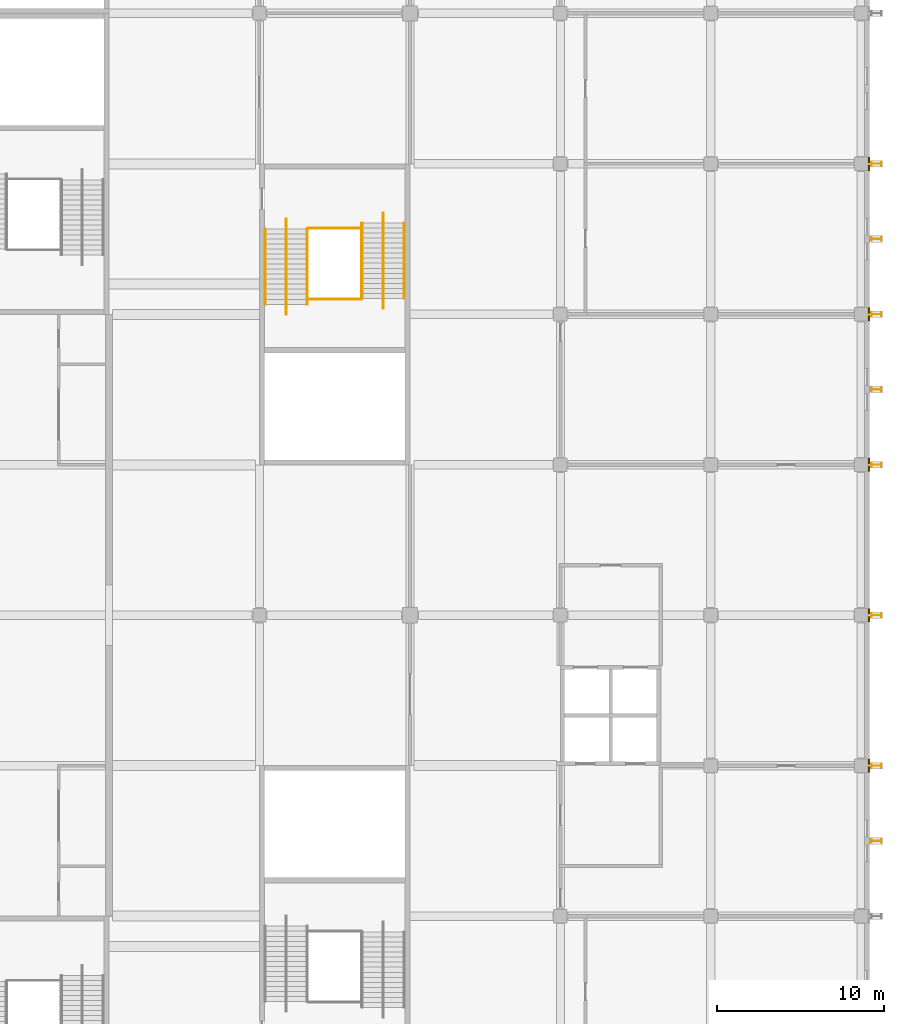
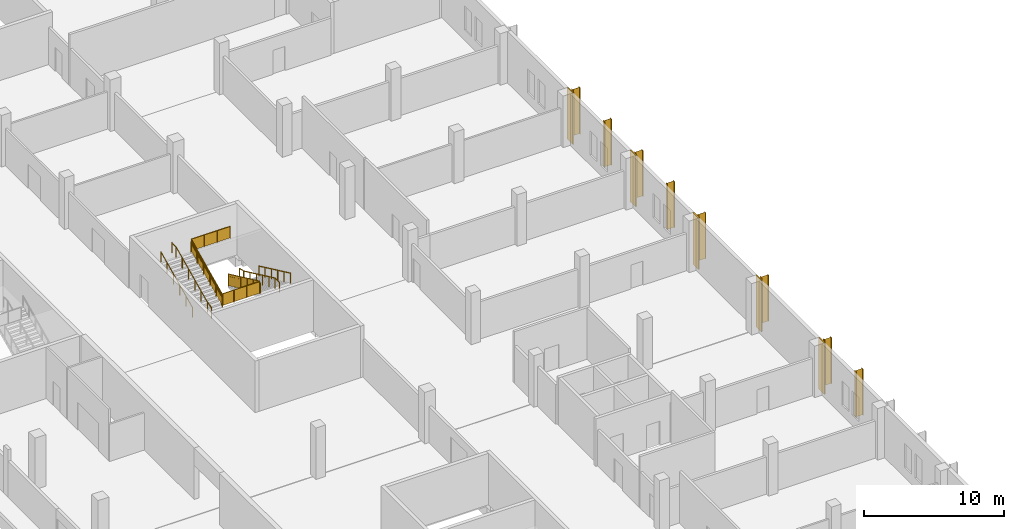
# One storey, part 156 of 168: 10 railings, 8 shading devices, 5 coverings.
"""IFC4 building model written with IfcOpenShell, lengths in metres."""

from ifc_helpers import new_model, si_unit, direction, frame, origin, origin_2d, place, context, subcontext, project, spatial, polyline, circle, i_section, outline, extrude, material, layer, layer_set, material_profile, profile_set, type_object, element, save


model = new_model("IFC4")

# Units and contexts
model_context = context("Model", 3, precision=1e-05, world=origin(), true_north=direction((0.0, 1.0)))
body_context = subcontext(model_context, "Body", "Model", "MODEL_VIEW")
ifc_project = project(units=[si_unit("LENGTHUNIT", "METRE"), si_unit("AREAUNIT", "SQUARE_METRE"), si_unit("VOLUMEUNIT", "CUBIC_METRE"), si_unit("PLANEANGLEUNIT", "RADIAN"), si_unit("MASSUNIT", "GRAM", prefix="KILO")], contexts=[model_context])

# Site, building, storey
site_placement = place(None, origin())
site = spatial("IfcSite", under=ifc_project, at=site_placement, CompositionType="ELEMENT")
building_placement = place(site_placement, origin())
building = spatial("IfcBuilding", under=site, at=building_placement, Name="Silverbay Arena", CompositionType="ELEMENT")
storey_placement = place(building_placement, frame((0.0, 0.0, 7.0)))
storey = spatial("IfcBuildingStorey", under=building, at=storey_placement, Name="L01", CompositionType="ELEMENT", Elevation=7.0)

# Coverings
ifc_material_1 = material(Name="Aluminium composite cladding", Category="aluminium")
ifc_layer = layer(ifc_material_1, 0.10009765625)
ifc_layer_set = layer_set([ifc_layer], Name="Aluminium composite cladding")
covering_type = type_object("IfcCoveringType", Name="Column cladding 100", PredefinedType="CLADDING", material=ifc_layer_set)
covering_1_placement = place(storey_placement, origin())
element("IfcCovering", 1, at=covering_1_placement, inside=storey, type_object=covering_type, Name="East column cladding L01 87", PredefinedType="CLADDING", context=body_context, shape_type="SweptSolid", body=[
    extrude(outline(polyline([(234.39990234375, 71.60009765625), (234.5, 71.60009765625), (234.5, 72.39990234375), (234.39990234375, 72.39990234375), (234.39990234375, 71.60009765625)])), origin(), (0.0, 0.0, 1.0), 4.5),
])
covering_2_placement = place(storey_placement, origin())
element("IfcCovering", 2, at=covering_2_placement, inside=storey, type_object=covering_type, Name="East column cladding L01 88", PredefinedType="CLADDING", context=body_context, shape_type="SweptSolid", body=[
    extrude(outline(polyline([(234.39990234375, 80.60009765625), (234.5, 80.60009765625), (234.5, 81.39990234375), (234.39990234375, 81.39990234375), (234.39990234375, 80.60009765625)])), origin(), (0.0, 0.0, 1.0), 4.5),
])
covering_3_placement = place(storey_placement, origin())
element("IfcCovering", 3, at=covering_3_placement, inside=storey, type_object=covering_type, Name="East column cladding L01 89", PredefinedType="CLADDING", context=body_context, shape_type="SweptSolid", body=[
    extrude(outline(polyline([(234.39990234375, 89.60009765625), (234.5, 89.60009765625), (234.5, 90.39990234375), (234.39990234375, 90.39990234375), (234.39990234375, 89.60009765625)])), origin(), (0.0, 0.0, 1.0), 4.5),
])
covering_4_placement = place(storey_placement, origin())
element("IfcCovering", 4, at=covering_4_placement, inside=storey, type_object=covering_type, Name="East column cladding L01 90", PredefinedType="CLADDING", context=body_context, shape_type="SweptSolid", body=[
    extrude(outline(polyline([(234.39990234375, 98.60009765625), (234.5, 98.60009765625), (234.5, 99.39990234375), (234.39990234375, 99.39990234375), (234.39990234375, 98.60009765625)])), origin(), (0.0, 0.0, 1.0), 4.5),
])
covering_5_placement = place(storey_placement, origin())
element("IfcCovering", 5, at=covering_5_placement, inside=storey, type_object=covering_type, Name="East column cladding L01 91", PredefinedType="CLADDING", context=body_context, shape_type="SweptSolid", body=[
    extrude(outline(polyline([(234.39990234375, 107.60009765625), (234.5, 107.60009765625), (234.5, 108.39990234375), (234.39990234375, 108.39990234375), (234.39990234375, 107.60009765625)])), origin(), (0.0, 0.0, 1.0), 4.5),
])

# Railings
ifc_material_2 = material(Name="Stainless steel", Category="steel")
railing_type_1 = type_object("IfcRailingType", Name="Stair guard 1100", PredefinedType="GUARDRAIL", material=ifc_material_2)
railing_1_placement = place(storey_placement, frame((204.125, 104.453369140625, 0.140625)))
element("IfcRailing", 6, at=railing_1_placement, inside=storey, type_object=railing_type_1, Name="Stair ST-E2 L01 to L02 flight 1 guard left", PredefinedType="GUARDRAIL", context=body_context, shape_type="SweptSolid", body=[
    extrude(circle(Radius=0.02392578125, at=origin_2d()), frame((0.0, 0.0, 1.076171875), z_axis=(0.0, -0.905458935959, 0.424433876231), x_axis=(1.0, 0.0, 0.0)), (0.0, 0.0, 1.0), 4.969970703125),
    extrude(outline(polyline([(-0.008056640625, 0.046142578125), (0.907958984375, 0.4755859375), (0.907958984375, 1.478515625), (-0.008056640625, 1.04931640625), (-0.008056640625, 0.046142578125)])), frame((0.0029296875, 0.0, 0.0), z_axis=(-1.0, 0.0, 0.0), x_axis=(0.0, -1.0, 0.0)), (0.0, 0.0, 1.0), 0.006103515625),
    extrude(outline(polyline([(-0.008056640625, 0.468017578125), (0.907958984375, 0.8974609375), (0.907958984375, 1.900390625), (-0.008056640625, 1.47119140625), (-0.008056640625, 0.468017578125)])), frame((0.0029296875, -0.89990234375, 0.0), z_axis=(-1.0, 0.0, 0.0), x_axis=(0.0, -1.0, 0.0)), (0.0, 0.0, 1.0), 0.006103515625),
    extrude(outline(polyline([(-0.008056640625, 0.889892578125), (0.907958984375, 1.3193359375), (0.907958984375, 2.322265625), (-0.008056640625, 1.89306640625), (-0.008056640625, 0.889892578125)])), frame((0.0029296875, -1.800048828125, 0.0), z_axis=(-1.0, 0.0, 0.0), x_axis=(0.0, -1.0, 0.0)), (0.0, 0.0, 1.0), 0.006103515625),
    extrude(outline(polyline([(-0.008056640625, 1.311767578125), (0.907958984375, 1.7412109375), (0.907958984375, 2.744140625), (-0.008056640625, 2.31494140625), (-0.008056640625, 1.311767578125)])), frame((0.0029296875, -2.699951171875, 0.0), z_axis=(-1.0, 0.0, 0.0), x_axis=(0.0, -1.0, 0.0)), (0.0, 0.0, 1.0), 0.006103515625),
    extrude(outline(polyline([(-0.008056640625, 1.733642578125), (0.907958984375, 2.1630859375), (0.907958984375, 3.166015625), (-0.008056640625, 2.73681640625), (-0.008056640625, 1.733642578125)])), frame((0.0029296875, -3.60009765625, 0.0), z_axis=(-1.0, 0.0, 0.0), x_axis=(0.0, -1.0, 0.0)), (0.0, 0.0, 1.0), 0.006103515625),
    extrude(circle(Radius=0.02099609375, at=origin_2d()), origin(), (0.0, 0.0, 1.0), 1.052001953125),
    extrude(circle(Radius=0.02099609375, at=origin_2d()), frame((0.0, -0.89990234375, 0.421875)), (0.0, 0.0, 1.0), 1.052001953125),
    extrude(circle(Radius=0.02099609375, at=origin_2d()), frame((0.0, -1.800048828125, 0.84375)), (0.0, 0.0, 1.0), 1.052001953125),
    extrude(circle(Radius=0.02099609375, at=origin_2d()), frame((0.0, -2.699951171875, 1.265625)), (0.0, 0.0, 1.0), 1.052001953125),
    extrude(circle(Radius=0.02099609375, at=origin_2d()), frame((0.0, -3.60009765625, 1.6875)), (0.0, 0.0, 1.0), 1.052001953125),
    extrude(circle(Radius=0.02099609375, at=origin_2d()), frame((0.0, -4.5, 2.109375)), (0.0, 0.0, 1.0), 1.052001953125),
])
railing_2_placement = place(storey_placement, frame((200.875, 99.60009765625, 2.390625)))
element("IfcRailing", 7, at=railing_2_placement, inside=storey, type_object=railing_type_1, Name="Stair ST-E2 L01 to L02 flight 2 guard right", PredefinedType="GUARDRAIL", context=body_context, shape_type="SweptSolid", body=[
    extrude(circle(Radius=0.02392578125, at=origin_2d()), frame((0.0, 0.0, 1.076171875), z_axis=(0.0, 0.905458935959, 0.424433876231), x_axis=(-1.0, 0.0, 0.0)), (0.0, 0.0, 1.0), 4.969970703125),
    extrude(outline(polyline([(-0.008056640625, 0.046142578125), (0.907958984375, 0.4755859375), (0.907958984375, 1.478515625), (-0.008056640625, 1.04931640625), (-0.008056640625, 0.046142578125)])), frame((-0.0029296875, 0.0, 0.0), z_axis=(1.0, 0.0, 0.0), x_axis=(0.0, 1.0, 0.0)), (0.0, 0.0, 1.0), 0.006103515625),
    extrude(outline(polyline([(-0.008056640625, 0.468017578125), (0.907958984375, 0.8974609375), (0.907958984375, 1.900390625), (-0.008056640625, 1.47119140625), (-0.008056640625, 0.468017578125)])), frame((-0.0029296875, 0.89990234375, 0.0), z_axis=(1.0, 0.0, 0.0), x_axis=(0.0, 1.0, 0.0)), (0.0, 0.0, 1.0), 0.006103515625),
    extrude(outline(polyline([(-0.008056640625, 0.889892578125), (0.907958984375, 1.3193359375), (0.907958984375, 2.322265625), (-0.008056640625, 1.89306640625), (-0.008056640625, 0.889892578125)])), frame((-0.0029296875, 1.800048828125, 0.0), z_axis=(1.0, 0.0, 0.0), x_axis=(0.0, 1.0, 0.0)), (0.0, 0.0, 1.0), 0.006103515625),
    extrude(outline(polyline([(-0.008056640625, 1.311767578125), (0.907958984375, 1.7412109375), (0.907958984375, 2.744140625), (-0.008056640625, 2.31494140625), (-0.008056640625, 1.311767578125)])), frame((-0.0029296875, 2.699951171875, 0.0), z_axis=(1.0, 0.0, 0.0), x_axis=(0.0, 1.0, 0.0)), (0.0, 0.0, 1.0), 0.006103515625),
    extrude(outline(polyline([(-0.008056640625, 1.733642578125), (0.907958984375, 2.1630859375), (0.907958984375, 3.166015625), (-0.008056640625, 2.73681640625), (-0.008056640625, 1.733642578125)])), frame((-0.0029296875, 3.60009765625, 0.0), z_axis=(1.0, 0.0, 0.0), x_axis=(0.0, 1.0, 0.0)), (0.0, 0.0, 1.0), 0.006103515625),
    extrude(circle(Radius=0.02099609375, at=origin_2d()), origin(), (0.0, 0.0, 1.0), 1.052001953125),
    extrude(circle(Radius=0.02099609375, at=origin_2d()), frame((0.0, 0.89990234375, 0.421875)), (0.0, 0.0, 1.0), 1.052001953125),
    extrude(circle(Radius=0.02099609375, at=origin_2d()), frame((0.0, 1.800048828125, 0.84375)), (0.0, 0.0, 1.0), 1.052001953125),
    extrude(circle(Radius=0.02099609375, at=origin_2d()), frame((0.0, 2.699951171875, 1.265625)), (0.0, 0.0, 1.0), 1.052001953125),
    extrude(circle(Radius=0.02099609375, at=origin_2d()), frame((0.0, 3.60009765625, 1.6875)), (0.0, 0.0, 1.0), 1.052001953125),
    extrude(circle(Radius=0.02099609375, at=origin_2d()), frame((0.0, 4.5, 2.109375)), (0.0, 0.0, 1.0), 1.052001953125),
])
for number, where, name in (
    (8, (200.89990234375, 99.9033203125, 2.25), "Stair ST-E2 L01 to L02 landing 1 guard"),
    (9, (200.89990234375, 104.14990234375, 4.5), "Stair ST-E2 L01 to L02 landing 2 guard"),
):
    element("IfcRailing", number, at=place(storey_placement, frame(where)), inside=storey, type_object=railing_type_1, Name=name, PredefinedType="GUARDRAIL", context=body_context, shape_type="SweptSolid", body=[
        extrude(circle(Radius=0.02392578125, at=origin_2d()), frame((0.0, 0.0, 1.076171875), z_axis=(1.0, 0.0, 0.0), x_axis=(0.0, 1.0, 0.0)), (0.0, 0.0, 1.0), 3.2001953125),
        extrude(outline(polyline([(-0.008056640625, 0.050048828125), (1.07470703125, 0.050048828125), (1.07470703125, 1.052978515625), (-0.008056640625, 1.052978515625), (-0.008056640625, 0.050048828125)])), frame((0.0, 0.0029296875, 0.0), z_axis=(0.0, -1.0, 0.0), x_axis=(1.0, 0.0, 0.0)), (0.0, 0.0, 1.0), 0.006103515625),
        extrude(outline(polyline([(-0.008056640625, 0.050048828125), (1.07470703125, 0.050048828125), (1.07470703125, 1.052978515625), (-0.008056640625, 1.052978515625), (-0.008056640625, 0.050048828125)])), frame((1.066650390625, 0.0029296875, 0.0), z_axis=(0.0, -1.0, 0.0), x_axis=(1.0, 0.0, 0.0)), (0.0, 0.0, 1.0), 0.006103515625),
        extrude(outline(polyline([(-0.008056640625, 0.050048828125), (1.07470703125, 0.050048828125), (1.07470703125, 1.052978515625), (-0.008056640625, 1.052978515625), (-0.008056640625, 0.050048828125)])), frame((2.133544921875, 0.0029296875, 0.0), z_axis=(0.0, -1.0, 0.0), x_axis=(1.0, 0.0, 0.0)), (0.0, 0.0, 1.0), 0.006103515625),
        extrude(circle(Radius=0.02099609375, at=origin_2d()), origin(), (0.0, 0.0, 1.0), 1.052001953125),
        extrude(circle(Radius=0.02099609375, at=origin_2d()), frame((1.066650390625, 0.0, 0.0)), (0.0, 0.0, 1.0), 1.052001953125),
        extrude(circle(Radius=0.02099609375, at=origin_2d()), frame((2.133544921875, 0.0, 0.0)), (0.0, 0.0, 1.0), 1.052001953125),
        extrude(circle(Radius=0.02099609375, at=origin_2d()), frame((3.2001953125, 0.0, 0.0)), (0.0, 0.0, 1.0), 1.052001953125),
    ])
ifc_material_3 = material(Name="Stainless steel", Category="steel")
railing_type_2 = type_object("IfcRailingType", Name="Stair handrail 900", PredefinedType="HANDRAIL", material=ifc_material_3)
for number, where, name in (
    (10, (204.1640625, 104.453369140625, 0.140625), "Stair ST-E2 L01 to L02 flight 1 handrail left"),
    (11, (206.64990234375, 104.453369140625, 0.140625), "Stair ST-E2 L01 to L02 flight 1 handrail right"),
):
    element("IfcRailing", number, at=place(storey_placement, frame(where)), inside=storey, type_object=railing_type_2, Name=name, PredefinedType="HANDRAIL", context=body_context, shape_type="SweptSolid", body=[
        extrude(circle(Radius=0.02392578125, at=origin_2d()), frame((0.0, 0.0, 0.8759765625), z_axis=(0.0, -0.905458935959, 0.424433876231), x_axis=(1.0, 0.0, 0.0)), (0.0, 0.0, 1.0), 4.969970703125),
        extrude(circle(Radius=0.02099609375, at=origin_2d()), origin(), (0.0, 0.0, 1.0), 0.851806640625),
        extrude(circle(Radius=0.02099609375, at=origin_2d()), frame((0.0, -0.89990234375, 0.421875)), (0.0, 0.0, 1.0), 0.851806640625),
        extrude(circle(Radius=0.02099609375, at=origin_2d()), frame((0.0, -1.800048828125, 0.84375)), (0.0, 0.0, 1.0), 0.851806640625),
        extrude(circle(Radius=0.02099609375, at=origin_2d()), frame((0.0, -2.699951171875, 1.265625)), (0.0, 0.0, 1.0), 0.851806640625),
        extrude(circle(Radius=0.02099609375, at=origin_2d()), frame((0.0, -3.60009765625, 1.6875)), (0.0, 0.0, 1.0), 0.851806640625),
        extrude(circle(Radius=0.02099609375, at=origin_2d()), frame((0.0, -4.5, 2.109375)), (0.0, 0.0, 1.0), 0.851806640625),
    ])
railing_3_placement = place(storey_placement, frame((205.39990234375, 105.053466796875, 0.0)))
element("IfcRailing", 12, at=railing_3_placement, inside=storey, type_object=railing_type_2, Name="Stair ST-E2 L01 to L02 flight 1 central handrail", PredefinedType="HANDRAIL", context=body_context, shape_type="SweptSolid", body=[
    extrude(circle(Radius=0.02392578125, at=origin_2d()), frame((0.0, 0.0, 0.8759765625), z_axis=(0.0, -0.973624560196, 0.228156121511), x_axis=(1.0, 0.0, 0.0)), (0.0, 0.0, 1.0), 0.616455078125),
    extrude(circle(Radius=0.02392578125, at=origin_2d()), frame((0.0, -0.60009765625, 1.0166015625), z_axis=(0.0, -0.905458935959, 0.424433876231), x_axis=(1.0, 0.0, 0.0)), (0.0, 0.0, 1.0), 4.969970703125),
    extrude(circle(Radius=0.02392578125, at=origin_2d()), frame((0.0, -5.10009765625, 3.1259765625), z_axis=(0.0, -1.0, 0.0), x_axis=(1.0, 0.0, 0.0)), (0.0, 0.0, 1.0), 0.599853515625),
    extrude(circle(Radius=0.02099609375, at=origin_2d()), origin(), (0.0, 0.0, 1.0), 0.851806640625),
    extrude(circle(Radius=0.02099609375, at=origin_2d()), frame((0.0, -0.60009765625, 0.140625)), (0.0, 0.0, 1.0), 0.851806640625),
    extrude(circle(Radius=0.02099609375, at=origin_2d()), frame((0.0, -1.5, 0.5625)), (0.0, 0.0, 1.0), 0.851806640625),
    extrude(circle(Radius=0.02099609375, at=origin_2d()), frame((0.0, -2.400146484375, 0.984375)), (0.0, 0.0, 1.0), 0.851806640625),
    extrude(circle(Radius=0.02099609375, at=origin_2d()), frame((0.0, -3.300048828125, 1.40625)), (0.0, 0.0, 1.0), 0.851806640625),
    extrude(circle(Radius=0.02099609375, at=origin_2d()), frame((0.0, -4.2001953125, 1.828125)), (0.0, 0.0, 1.0), 0.851806640625),
    extrude(circle(Radius=0.02099609375, at=origin_2d()), frame((0.0, -5.10009765625, 2.25)), (0.0, 0.0, 1.0), 0.851806640625),
    extrude(circle(Radius=0.02099609375, at=origin_2d()), frame((0.0, -5.699951171875, 2.25)), (0.0, 0.0, 1.0), 0.851806640625),
])
for number, where, name in (
    (13, (198.35009765625, 99.60009765625, 2.390625), "Stair ST-E2 L01 to L02 flight 2 handrail left"),
    (14, (200.8359375, 99.60009765625, 2.390625), "Stair ST-E2 L01 to L02 flight 2 handrail right"),
):
    element("IfcRailing", number, at=place(storey_placement, frame(where)), inside=storey, type_object=railing_type_2, Name=name, PredefinedType="HANDRAIL", context=body_context, shape_type="SweptSolid", body=[
        extrude(circle(Radius=0.02392578125, at=origin_2d()), frame((0.0, 0.0, 0.8759765625), z_axis=(0.0, 0.905458935959, 0.424433876231), x_axis=(-1.0, 0.0, 0.0)), (0.0, 0.0, 1.0), 4.969970703125),
        extrude(circle(Radius=0.02099609375, at=origin_2d()), origin(), (0.0, 0.0, 1.0), 0.851806640625),
        extrude(circle(Radius=0.02099609375, at=origin_2d()), frame((0.0, 0.89990234375, 0.421875)), (0.0, 0.0, 1.0), 0.851806640625),
        extrude(circle(Radius=0.02099609375, at=origin_2d()), frame((0.0, 1.800048828125, 0.84375)), (0.0, 0.0, 1.0), 0.851806640625),
        extrude(circle(Radius=0.02099609375, at=origin_2d()), frame((0.0, 2.699951171875, 1.265625)), (0.0, 0.0, 1.0), 0.851806640625),
        extrude(circle(Radius=0.02099609375, at=origin_2d()), frame((0.0, 3.60009765625, 1.6875)), (0.0, 0.0, 1.0), 0.851806640625),
        extrude(circle(Radius=0.02099609375, at=origin_2d()), frame((0.0, 4.5, 2.109375)), (0.0, 0.0, 1.0), 0.851806640625),
    ])
railing_4_placement = place(storey_placement, frame((199.60009765625, 99.0, 2.25)))
element("IfcRailing", 15, at=railing_4_placement, inside=storey, type_object=railing_type_2, Name="Stair ST-E2 L01 to L02 flight 2 central handrail", PredefinedType="HANDRAIL", context=body_context, shape_type="SweptSolid", body=[
    extrude(circle(Radius=0.02392578125, at=origin_2d()), frame((0.0, 0.0, 0.8759765625), z_axis=(0.0, 0.973624560196, 0.228156121511), x_axis=(-1.0, 0.0, 0.0)), (0.0, 0.0, 1.0), 0.616455078125),
    extrude(circle(Radius=0.02392578125, at=origin_2d()), frame((0.0, 0.60009765625, 1.0166015625), z_axis=(0.0, 0.905458935959, 0.424433876231), x_axis=(-1.0, 0.0, 0.0)), (0.0, 0.0, 1.0), 4.969970703125),
    extrude(circle(Radius=0.02392578125, at=origin_2d()), frame((0.0, 5.10009765625, 3.1259765625), z_axis=(0.0, 1.0, 0.0), x_axis=(-1.0, 0.0, 0.0)), (0.0, 0.0, 1.0), 0.599853515625),
    extrude(circle(Radius=0.02099609375, at=origin_2d()), origin(), (0.0, 0.0, 1.0), 0.851806640625),
    extrude(circle(Radius=0.02099609375, at=origin_2d()), frame((0.0, 0.60009765625, 0.140625)), (0.0, 0.0, 1.0), 0.851806640625),
    extrude(circle(Radius=0.02099609375, at=origin_2d()), frame((0.0, 1.5, 0.5625)), (0.0, 0.0, 1.0), 0.851806640625),
    extrude(circle(Radius=0.02099609375, at=origin_2d()), frame((0.0, 2.400146484375, 0.984375)), (0.0, 0.0, 1.0), 0.851806640625),
    extrude(circle(Radius=0.02099609375, at=origin_2d()), frame((0.0, 3.300048828125, 1.40625)), (0.0, 0.0, 1.0), 0.851806640625),
    extrude(circle(Radius=0.02099609375, at=origin_2d()), frame((0.0, 4.2001953125, 1.828125)), (0.0, 0.0, 1.0), 0.851806640625),
    extrude(circle(Radius=0.02099609375, at=origin_2d()), frame((0.0, 5.10009765625, 2.25)), (0.0, 0.0, 1.0), 0.851806640625),
    extrude(circle(Radius=0.02099609375, at=origin_2d()), frame((0.0, 5.699951171875, 2.25)), (0.0, 0.0, 1.0), 0.851806640625),
])

# Shading devices
ifc_material_4 = material(Name="Steel S355", Category="steel")
ifc_material_profile = material_profile(ifc_material_4, i_section(OverallWidth=0.2275390625, OverallDepth=0.6025390625, WebThickness=0.010498046875, FlangeThickness=0.014892578125, at=origin_2d()), Name="UB 610x229x101")
ifc_profile_set = profile_set([ifc_material_profile], Name="Steel S355")
shading_device_type = type_object("IfcShadingDeviceType", Name="Steel fin UB 610x229x101", PredefinedType="USERDEFINED", material=ifc_profile_set)
for number, where, z_axis, x_axis, name in (
    (16, (234.9013671875, 67.5, 0.449951171875), (0.0, 0.0, 1.0), (0.0, 1.0, 0.0), "Steel fin E L01 11"),
    (17, (234.9013671875, 72.0, 0.449951171875), (0.0, 0.0, 1.0), (0.0, 1.0, 0.0), "Steel fin E L01 12"),
    (18, (234.9013671875, 81.0, 0.449951171875), (0.0, 0.0, 1.0), (0.0, 1.0, 0.0), "Steel fin E L01 14"),
    (19, (234.9013671875, 90.0, 0.449951171875), (0.0, 0.0, 1.0), (0.0, 1.0, 0.0), "Steel fin E L01 16"),
    (20, (234.9013671875, 94.5, 0.449951171875), (0.0, 0.0, 1.0), (0.0, 1.0, 0.0), "Steel fin E L01 17"),
    (21, (234.9013671875, 99.0, 0.449951171875), (0.0, 0.0, 1.0), (0.0, 1.0, 0.0), "Steel fin E L01 18"),
    (22, (234.9013671875, 103.5, 0.449951171875), (0.0, 0.0, 1.0), (0.0, 1.0, 0.0), "Steel fin E L01 19"),
    (23, (234.9013671875, 108.0, 0.449951171875), (0.0, 0.0, 1.0), (0.0, 1.0, 0.0), "Steel fin E L01 20"),
):
    element("IfcShadingDevice", number, at=place(storey_placement, frame(where, z_axis=z_axis, x_axis=x_axis)), inside=storey, type_object=shading_device_type, Name=name, ObjectType="FIN", PredefinedType="USERDEFINED", context=body_context, shape_type="SweptSolid", body=[
        extrude(i_section(OverallWidth=0.2275390625, OverallDepth=0.6025390625, WebThickness=0.010498046875, FlangeThickness=0.014892578125, at=origin_2d()), origin(), (0.0, 0.0, 1.0), 4.050048828125),
    ])

save(model, "model.ifc")
